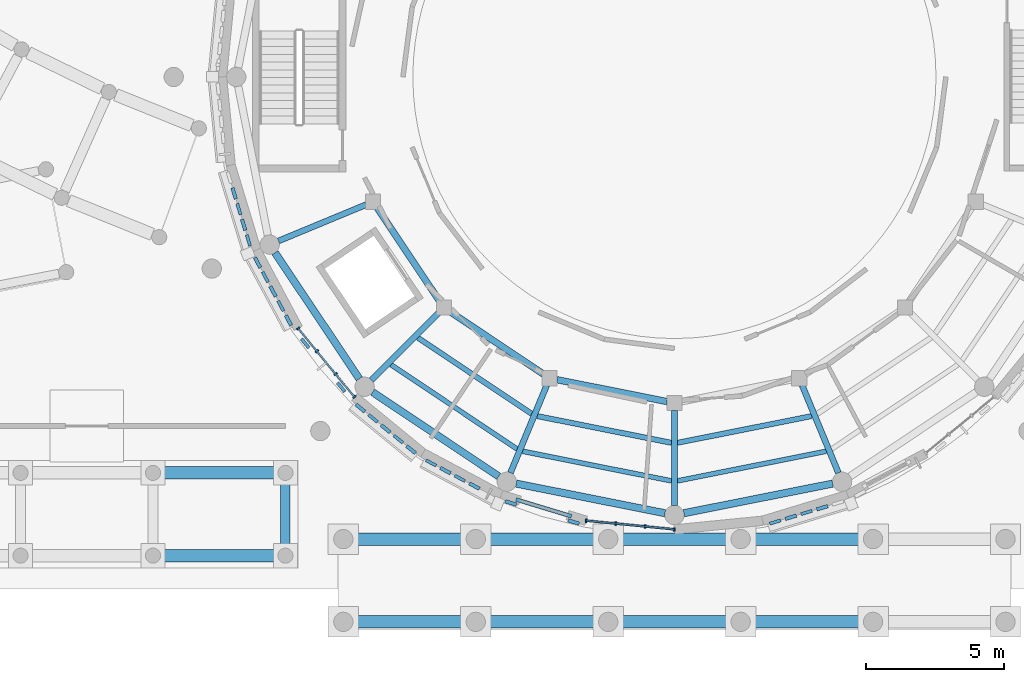
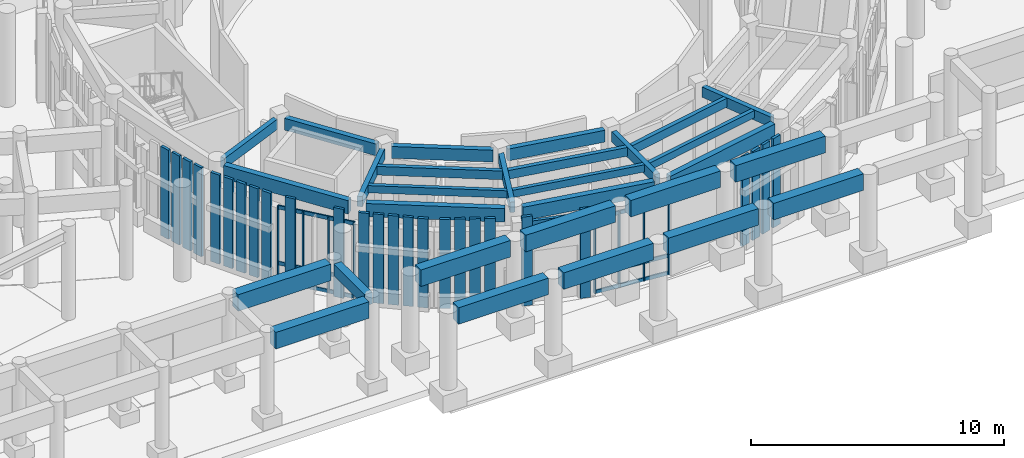
# One storey, part 13 of 94: 40 members, 30 beams, 2 elements without a shape of their own.
"""IFC4 building model written with IfcOpenShell, lengths in metres."""

from ifc_helpers import new_model, si_unit, direction, frame, origin, origin_2d, place, context, subcontext, project, spatial, rectangle, extrude, material, layer, layer_set, material_profile, profile_set, type_object, element, aggregate, save


model = new_model("IFC4")

# Units and contexts
model_context = context("Model", 3, precision=1e-05, world=origin(), true_north=direction((0.0, 1.0)))
body_context = subcontext(model_context, "Body", "Model", "MODEL_VIEW")
ifc_project = project(units=[si_unit("LENGTHUNIT", "METRE"), si_unit("AREAUNIT", "SQUARE_METRE"), si_unit("VOLUMEUNIT", "CUBIC_METRE"), si_unit("PLANEANGLEUNIT", "RADIAN"), si_unit("MASSUNIT", "GRAM", prefix="KILO")], contexts=[model_context])

# Site, building, storey
site_placement = place(None, origin())
site = spatial("IfcSite", under=ifc_project, at=site_placement, CompositionType="ELEMENT")
building_placement = place(site_placement, origin())
building = spatial("IfcBuilding", under=site, at=building_placement, Name="Aldenvaro Health Centre", CompositionType="ELEMENT")
storey_placement = place(building_placement, origin())
storey = spatial("IfcBuildingStorey", under=building, at=storey_placement, Name="L00", CompositionType="ELEMENT", Elevation=0.0)

# Beams
ifc_material_1 = material(Name="Glulam GL28h", Category="wood")
ifc_material_profile_1 = material_profile(ifc_material_1, rectangle(XDim=0.139892578125, YDim=0.280029296875, at=origin_2d()), Name="GL 140x280", Category="wood")
ifc_profile_set_1 = profile_set([ifc_material_profile_1], Name="Glulam GL28h")
beam_type_1 = type_object("IfcBeamType", Name="BM-GL-280", PredefinedType="LINTEL", material=ifc_profile_set_1)
beam_1_placement = place(storey_placement, frame((83.26708984375, 4.076904296875, 3.799072265625), z_axis=(-0.957019516077, 0.290023526371, 0.0), x_axis=(-0.290023526371, -0.957019516077, 0.0)))
element("IfcBeam", 1, at=beam_1_placement, inside=storey, type_object=beam_type_1, Name="Portal Lintel Beam 03", PredefinedType="LINTEL", context=body_context, shape_type="SweptSolid", body=[
    extrude(rectangle(XDim=0.139892578125, YDim=0.280029296875, at=origin_2d()), origin(), (0.0, 0.0, 1.0), 2.100341796875),
])
ifc_material_profile_2 = material_profile(ifc_material_1, rectangle(XDim=0.175048828125, YDim=0.35009765625, at=origin_2d()), Name="GL 175x350", Category="wood")
ifc_profile_set_2 = profile_set([ifc_material_profile_2], Name="Glulam GL28h")
beam_type_2 = type_object("IfcBeamType", Name="BM-GL-350", PredefinedType="JOIST", material=ifc_profile_set_2)
beam_2_placement = place(storey_placement, frame((76.721923828125, 9.572998046875, 4.1298828125), z_axis=(0.831463177052, -0.555579863932, 0.0), x_axis=(0.555579863932, 0.831463177052, 0.0)))
element("IfcBeam", 2, at=beam_2_placement, inside=storey, type_object=beam_type_2, Name="D1 L00 secondary joist 09.2", PredefinedType="JOIST", context=body_context, shape_type="SweptSolid", body=[
    extrude(rectangle(XDim=0.175048828125, YDim=0.35009765625, at=origin_2d()), origin(), (0.0, 0.0, 1.0), 5.506103515625),
])
for number, where, z_axis, x_axis, name in (
    (3, (81.4951171875, 6.43310546875, 4.1298828125), (0.980781408999, -0.195109783868, 0.0), (0.195109783868, 0.980781408999, 0.0), "D1 L00 secondary joist 10.2"),
    (4, (87.10498046875, 5.35888671875, 4.1298828125), (0.980781408999, 0.195109783868, 0.0), (-0.195109783868, 0.980781408999, 0.0), "D1 L00 secondary joist 11.2"),
):
    element("IfcBeam", number, at=place(storey_placement, frame(where, z_axis=z_axis, x_axis=x_axis)), inside=storey, type_object=beam_type_2, Name=name, PredefinedType="JOIST", context=body_context, shape_type="SweptSolid", body=[
        extrude(rectangle(XDim=0.175048828125, YDim=0.35009765625, at=origin_2d()), origin(), (0.0, 0.0, 1.0), 5.505615234375),
    ])
ifc_material_profile_3 = material_profile(ifc_material_1, rectangle(XDim=0.18994140625, YDim=0.41796875, at=origin_2d()), Name="GL 190x418", Category="wood")
ifc_profile_set_3 = profile_set([ifc_material_profile_3], Name="Glulam GL28h")
beam_type_3 = type_object("IfcBeamType", Name="BM-GL-418", PredefinedType="JOIST", material=ifc_profile_set_3)
beam_3_placement = place(storey_placement, frame((77.697998046875, 10.549072265625, 4.095947265625), z_axis=(0.831422153502, -0.555641253567, 0.0), x_axis=(0.555641253567, 0.831422153502, 0.0)))
element("IfcBeam", 5, at=beam_3_placement, inside=storey, type_object=beam_type_3, Name="D1 L00 secondary joist 09.1", PredefinedType="JOIST", context=body_context, shape_type="SweptSolid", body=[
    extrude(rectangle(XDim=0.18994140625, YDim=0.41796875, at=origin_2d()), origin(), (0.0, 0.0, 1.0), 4.96728515625),
])
for number, where, z_axis, x_axis, name in (
    (6, (82.02294921875, 7.708984375, 4.095947265625), (0.980752308599, -0.195256009324, 0.0), (0.195256009324, 0.980752308599, 0.0), "D1 L00 secondary joist 10.1"),
    (7, (87.10498046875, 6.739013671875, 4.095947265625), (0.980752308599, 0.195256009324, 0.0), (-0.195256009324, 0.980752308599, 0.0), "D1 L00 secondary joist 11.1"),
):
    element("IfcBeam", number, at=place(storey_placement, frame(where, z_axis=z_axis, x_axis=x_axis)), inside=storey, type_object=beam_type_3, Name=name, PredefinedType="JOIST", context=body_context, shape_type="SweptSolid", body=[
        extrude(rectangle(XDim=0.18994140625, YDim=0.41796875, at=origin_2d()), origin(), (0.0, 0.0, 1.0), 4.9677734375),
    ])
ifc_material_profile_4 = material_profile(ifc_material_1, rectangle(XDim=0.215087890625, YDim=0.493896484375, at=origin_2d()), Name="GL 215x494", Category="wood")
ifc_profile_set_4 = profile_set([ifc_material_profile_4], Name="Glulam GL28h")
beam_type_4 = type_object("IfcBeamType", Name="BM-GL-494", PredefinedType="BEAM", material=ifc_profile_set_4)
beam_4_placement = place(storey_placement, frame((75.825927734375, 15.3720703125, 4.05810546875), z_axis=(-0.923823653162, -0.382818309199, 0.0), x_axis=(0.382818309199, -0.923823653162, 0.0)))
element("IfcBeam", 8, at=beam_4_placement, inside=storey, type_object=beam_type_4, Name="D1 L00 radial beam 08", PredefinedType="BEAM", context=body_context, shape_type="SweptSolid", body=[
    extrude(rectangle(XDim=0.215087890625, YDim=0.493896484375, at=origin_2d()), origin(), (0.0, 0.0, 1.0), 3.435546875),
])
beam_5_placement = place(storey_placement, frame((78.447998046875, 11.447998046875, 4.05810546875), z_axis=(-0.707106781187, -0.707106781187, 0.0), x_axis=(0.707106781187, -0.707106781187, 0.0)))
element("IfcBeam", 9, at=beam_5_placement, inside=storey, type_object=beam_type_4, Name="D1 L00 radial beam 09", PredefinedType="BEAM", context=body_context, shape_type="SweptSolid", body=[
    extrude(rectangle(XDim=0.215087890625, YDim=0.493896484375, at=origin_2d()), origin(), (0.0, 0.0, 1.0), 3.4365234375),
])
beam_6_placement = place(storey_placement, frame((82.3720703125, 8.825927734375, 4.05810546875), z_axis=(-0.382818309199, -0.923823653162, 0.0), x_axis=(0.923823653162, -0.382818309199, 0.0)))
element("IfcBeam", 10, at=beam_6_placement, inside=storey, type_object=beam_type_4, Name="D1 L00 radial beam 10", PredefinedType="BEAM", context=body_context, shape_type="SweptSolid", body=[
    extrude(rectangle(XDim=0.215087890625, YDim=0.493896484375, at=origin_2d()), origin(), (0.0, 0.0, 1.0), 3.435546875),
])
beam_7_placement = place(storey_placement, frame((87.0, 7.905029296875, 4.05810546875), z_axis=(0.0, -1.0, 0.0), x_axis=(1.0, 0.0, 0.0)))
element("IfcBeam", 11, at=beam_7_placement, inside=storey, type_object=beam_type_4, Name="D1 L00 radial beam 11", PredefinedType="BEAM", context=body_context, shape_type="SweptSolid", body=[
    extrude(rectangle(XDim=0.215087890625, YDim=0.493896484375, at=origin_2d()), origin(), (0.0, 0.0, 1.0), 3.43505859375),
])
beam_8_placement = place(storey_placement, frame((91.6279296875, 8.825927734375, 4.05810546875), z_axis=(0.382818309199, -0.923823653162, 0.0), x_axis=(0.923823653162, 0.382818309199, 0.0)))
element("IfcBeam", 12, at=beam_8_placement, inside=storey, type_object=beam_type_4, Name="D1 L00 radial beam 12", PredefinedType="BEAM", context=body_context, shape_type="SweptSolid", body=[
    extrude(rectangle(XDim=0.215087890625, YDim=0.493896484375, at=origin_2d()), origin(), (0.0, 0.0, 1.0), 3.435546875),
])
ifc_material_profile_5 = material_profile(ifc_material_1, rectangle(XDim=0.239990234375, YDim=0.570068359375, at=origin_2d()), Name="GL 240x570", Category="wood")
ifc_profile_set_5 = profile_set([ifc_material_profile_5], Name="Glulam GL28h")
beam_type_5 = type_object("IfcBeamType", Name="BM-GL-570", PredefinedType="BEAM", material=ifc_profile_set_5)
for number, where, z_axis, x_axis, name in (
    (13, (76.23291015625, 15.248046875, 4.02001953125), (0.55551841035, -0.831504236767, 0.0), (0.831504236767, 0.55551841035, 0.0), "D1 L00 inner ring beam 08"),
    (14, (78.87109375, 11.489013671875, 4.02001953125), (0.831504236767, -0.55551841035, 0.0), (0.55551841035, 0.831504236767, 0.0), "D1 L00 inner ring beam 09"),
):
    element("IfcBeam", number, at=place(storey_placement, frame(where, z_axis=z_axis, x_axis=x_axis)), inside=storey, type_object=beam_type_5, Name=name, PredefinedType="BEAM", context=body_context, shape_type="SweptSolid", body=[
        extrude(rectangle(XDim=0.239990234375, YDim=0.570068359375, at=origin_2d()), origin(), (0.0, 0.0, 1.0), 4.061279296875),
    ])
beam_9_placement = place(storey_placement, frame((82.7470703125, 9.02587890625, 4.02001953125), z_axis=(0.980797430313, -0.19502923035, 0.0), x_axis=(0.19502923035, 0.980797430313, 0.0)))
element("IfcBeam", 15, at=beam_9_placement, inside=storey, type_object=beam_type_5, Name="D1 L00 inner ring beam 10", PredefinedType="BEAM", context=body_context, shape_type="SweptSolid", body=[
    extrude(rectangle(XDim=0.239990234375, YDim=0.570068359375, at=origin_2d()), origin(), (0.0, 0.0, 1.0), 4.060791015625),
])
ifc_material_profile_6 = material_profile(ifc_material_1, rectangle(XDim=0.264892578125, YDim=0.64599609375, at=origin_2d()), Name="GL 265x646", Category="wood")
ifc_profile_set_6 = profile_set([ifc_material_profile_6], Name="Glulam GL28h")
beam_type_6 = type_object("IfcBeamType", Name="BM-GL-646", PredefinedType="SPANDREL", material=ifc_profile_set_6)
for number, where, z_axis, x_axis, name in (
    (16, (72.52294921875, 13.632080078125, 3.98193359375), (0.555612119454, -0.831441623156, 0.0), (0.831441623156, 0.555612119454, 0.0), "D1 L00 perimeter spandrel 10"),
    (17, (76.06201171875, 8.576904296875, 3.98193359375), (0.831441623156, -0.555612119454, 0.0), (0.555612119454, 0.831441623156, 0.0), "D1 L00 perimeter spandrel 11"),
    (18, (81.26611328125, 5.260986328125, 3.98193359375), (0.980761340452, -0.19521063771, 0.0), (0.19521063771, 0.980761340452, 0.0), "D1 L00 perimeter spandrel 12"),
    (19, (87.343017578125, 4.18798828125, 3.98193359375), (0.980761340452, 0.19521063771, 0.0), (-0.19521063771, 0.980761340452, 0.0), "D1 L00 perimeter spandrel 13"),
):
    element("IfcBeam", number, at=place(storey_placement, frame(where, z_axis=z_axis, x_axis=x_axis)), inside=storey, type_object=beam_type_6, Name=name, PredefinedType="SPANDREL", context=body_context, shape_type="SweptSolid", body=[
        extrude(rectangle(XDim=0.264892578125, YDim=0.64599609375, at=origin_2d()), origin(), (0.0, 0.0, 1.0), 5.49658203125),
    ])
ifc_material_2 = material(Name="Concrete f'c 40 MPa", Category="concrete")
ifc_material_profile_7 = material_profile(ifc_material_2, rectangle(XDim=0.35009765625, YDim=0.56005859375, at=origin_2d()), Name="RC 350x560", Category="concrete")
ifc_profile_set_7 = profile_set([ifc_material_profile_7], Name="Concrete f'c 40 MPa")
beam_type_7 = type_object("IfcBeamType", Name="BM-RC-560E", PredefinedType="JOIST", material=ifc_profile_set_7)
beam_10_placement = place(storey_placement, frame((72.89990234375, 2.925048828125, 4.1201171875), z_axis=(0.0, 1.0, 0.0), x_axis=(-1.0, 0.0, 0.0)))
element("IfcBeam", 20, at=beam_10_placement, inside=storey, type_object=beam_type_7, Name="South Stoa W Transverse Beam L00-9", PredefinedType="JOIST", context=body_context, shape_type="SweptSolid", body=[
    extrude(rectangle(XDim=0.35009765625, YDim=0.56005859375, at=origin_2d()), origin(), (0.0, 0.0, 1.0), 2.449951171875),
])
ifc_material_profile_8 = material_profile(ifc_material_2, rectangle(XDim=0.449951171875, YDim=0.800048828125, at=origin_2d()), Name="RC 450x800", Category="concrete")
ifc_profile_set_8 = profile_set([ifc_material_profile_8], Name="Concrete f'c 40 MPa")
beam_type_8 = type_object("IfcBeamType", Name="BM-RC-800", PredefinedType="SPANDREL", material=ifc_profile_set_8)
for number, where, z_axis, x_axis, name in (
    (21, (75.35009765625, 0.25, 4.2099609375), (1.0, 0.0, 0.0), (0.0, 1.0, 0.0), "Neoclassical Portico Lower Architrave 1.1"),
    (22, (75.35009765625, 3.25, 4.2099609375), (1.0, 0.0, 0.0), (0.0, 1.0, 0.0), "Neoclassical Portico Lower Architrave 1.2"),
):
    element("IfcBeam", number, at=place(storey_placement, frame(where, z_axis=z_axis, x_axis=x_axis)), inside=storey, type_object=beam_type_8, Name=name, PredefinedType="SPANDREL", context=body_context, shape_type="SweptSolid", body=[
        extrude(rectangle(XDim=0.449951171875, YDim=0.800048828125, at=origin_2d()), origin(), (0.0, 0.0, 1.0), 4.099853515625),
    ])
for number, where, z_axis, x_axis, name in (
    (23, (80.14990234375, 0.25, 4.2099609375), (1.0, 0.0, 0.0), (0.0, 1.0, 0.0), "Neoclassical Portico Lower Architrave 2.1"),
    (24, (80.14990234375, 3.25, 4.2099609375), (1.0, 0.0, 0.0), (0.0, 1.0, 0.0), "Neoclassical Portico Lower Architrave 2.2"),
    (25, (84.949951171875, 0.25, 4.2099609375), (1.0, 0.0, 0.0), (0.0, 1.0, 0.0), "Neoclassical Portico Lower Architrave 3.1"),
    (26, (84.949951171875, 3.25, 4.2099609375), (1.0, 0.0, 0.0), (0.0, 1.0, 0.0), "Neoclassical Portico Lower Architrave 3.2"),
    (27, (89.75, 0.25, 4.2099609375), (1.0, 0.0, 0.0), (0.0, 1.0, 0.0), "Neoclassical Portico Lower Architrave 4.1"),
    (28, (89.75, 3.25, 4.2099609375), (1.0, 0.0, 0.0), (0.0, 1.0, 0.0), "Neoclassical Portico Lower Architrave 4.2"),
):
    element("IfcBeam", number, at=place(storey_placement, frame(where, z_axis=z_axis, x_axis=x_axis)), inside=storey, type_object=beam_type_8, Name=name, PredefinedType="SPANDREL", context=body_context, shape_type="SweptSolid", body=[
        extrude(rectangle(XDim=0.449951171875, YDim=0.800048828125, at=origin_2d()), origin(), (0.0, 0.0, 1.0), 4.10009765625),
    ])
for number, where, z_axis, x_axis, name in (
    (29, (68.375, 2.64990234375, 4.0), (1.0, 0.0, 0.0), (0.0, 1.0, 0.0), "South Stoa W Classical Architrave L00-8.1"),
    (30, (68.375, 5.64990234375, 4.0), (1.0, 0.0, 0.0), (0.0, 1.0, 0.0), "South Stoa W Classical Architrave L00-8.2"),
):
    element("IfcBeam", number, at=place(storey_placement, frame(where, z_axis=z_axis, x_axis=x_axis)), inside=storey, type_object=beam_type_8, Name=name, PredefinedType="SPANDREL", context=body_context, shape_type="SweptSolid", body=[
        extrude(rectangle(XDim=0.449951171875, YDim=0.800048828125, at=origin_2d()), origin(), (0.0, 0.0, 1.0), 4.25),
    ])

# Curtain wall, members
ifc_material_3 = material(Name="Anodised Aluminium 6063-T6", Category="aluminium")
ifc_layer = layer(ifc_material_3, 0.179931640625, Name="Anodised Aluminium 6063-T6", Category="aluminium")
ifc_layer_set = layer_set([ifc_layer], Name="Anodised Aluminium 6063-T6")
curtain_wall_type = type_object("IfcCurtainWallType", Name="CW-ROT-01", PredefinedType="NOTDEFINED", material=ifc_layer_set)
curtain_wall_1_placement = place(storey_placement, origin())
curtain_wall_1 = element("IfcCurtainWall", 31, at=curtain_wall_1_placement, inside=storey, type_object=curtain_wall_type, Name="D1 L00 curtain wall bay 09", PredefinedType="NOTDEFINED")
ifc_material_profile_9 = material_profile(ifc_material_3, rectangle(XDim=0.06005859375, YDim=0.135009765625, at=origin_2d()), Name="ALU 60x135", Category="aluminium")
ifc_profile_set_9 = profile_set([ifc_material_profile_9], Name="Anodised Aluminium 6063-T6")
member_type_1 = type_object("IfcMemberType", Name="CWM-150", PredefinedType="MULLION", material=ifc_profile_set_9)
member_1_placement = place(storey_placement, frame((87.0, 3.60009765625, 0.0), z_axis=(0.0, 0.0, 1.0), x_axis=(-0.995186971968, 0.097994340783, 0.0)))
member_1 = element("IfcMember", 32, at=member_1_placement, type_object=member_type_1, Name="D1 L00 curtain wall bay 09 mullion 1", PredefinedType="MULLION", context=body_context, shape_type="SweptSolid", body=[
    extrude(rectangle(XDim=0.06005859375, YDim=0.135009765625, at=origin_2d()), origin(), (0.0, 0.0, 1.0), 3.658935546875),
])
member_2_placement = place(storey_placement, frame((85.93408203125, 3.705078125, 0.0), z_axis=(0.0, 0.0, 1.0), x_axis=(-0.995186971968, 0.097994340783, 0.0)))
member_2 = element("IfcMember", 33, at=member_2_placement, type_object=member_type_1, Name="D1 L00 curtain wall bay 09 mullion 2", PredefinedType="MULLION", context=body_context, shape_type="SweptSolid", body=[
    extrude(rectangle(XDim=0.06005859375, YDim=0.135009765625, at=origin_2d()), origin(), (0.0, 0.0, 1.0), 3.658935546875),
])
member_3_placement = place(storey_placement, frame((84.866943359375, 3.81005859375, 0.0), z_axis=(0.0, 0.0, 1.0), x_axis=(-0.995186971968, 0.097994340783, 0.0)))
member_3 = element("IfcMember", 34, at=member_3_placement, type_object=member_type_1, Name="D1 L00 curtain wall bay 09 mullion 3", PredefinedType="MULLION", context=body_context, shape_type="SweptSolid", body=[
    extrude(rectangle(XDim=0.06005859375, YDim=0.135009765625, at=origin_2d()), origin(), (0.0, 0.0, 1.0), 3.658935546875),
])
member_4_placement = place(storey_placement, frame((83.801025390625, 3.9150390625, 0.0), z_axis=(0.0, 0.0, 1.0), x_axis=(-0.995186971968, 0.097994340783, 0.0)))
member_4 = element("IfcMember", 35, at=member_4_placement, type_object=member_type_1, Name="D1 L00 curtain wall bay 09 mullion 4", PredefinedType="MULLION", context=body_context, shape_type="SweptSolid", body=[
    extrude(rectangle(XDim=0.06005859375, YDim=0.135009765625, at=origin_2d()), origin(), (0.0, 0.0, 1.0), 3.658935546875),
])

curtain_wall_2_placement = place(storey_placement, origin())
curtain_wall_2 = element("IfcCurtainWall", 36, at=curtain_wall_2_placement, inside=storey, type_object=curtain_wall_type, Name="D1 L00 curtain wall bay 13", PredefinedType="NOTDEFINED")
member_5_placement = place(storey_placement, frame((75.403076171875, 8.403076171875, 0.0), z_axis=(0.0, 0.0, 1.0), x_axis=(-0.634168850528, 0.773194586776, 0.0)))
member_5 = element("IfcMember", 37, at=member_5_placement, type_object=member_type_1, Name="D1 L00 curtain wall bay 13 mullion 1", PredefinedType="MULLION", context=body_context, shape_type="SweptSolid", body=[
    extrude(rectangle(XDim=0.06005859375, YDim=0.135009765625, at=origin_2d()), origin(), (0.0, 0.0, 1.0), 3.658935546875),
])
member_6_placement = place(storey_placement, frame((74.722900390625, 9.23193359375, 0.0), z_axis=(0.0, 0.0, 1.0), x_axis=(-0.634168850528, 0.773194586776, 0.0)))
member_6 = element("IfcMember", 38, at=member_6_placement, type_object=member_type_1, Name="D1 L00 curtain wall bay 13 mullion 2", PredefinedType="MULLION", context=body_context, shape_type="SweptSolid", body=[
    extrude(rectangle(XDim=0.06005859375, YDim=0.135009765625, at=origin_2d()), origin(), (0.0, 0.0, 1.0), 3.658935546875),
])
member_7_placement = place(storey_placement, frame((74.0439453125, 10.06005859375, 0.0), z_axis=(0.0, 0.0, 1.0), x_axis=(-0.634168850528, 0.773194586776, 0.0)))
member_7 = element("IfcMember", 39, at=member_7_placement, type_object=member_type_1, Name="D1 L00 curtain wall bay 13 mullion 3", PredefinedType="MULLION", context=body_context, shape_type="SweptSolid", body=[
    extrude(rectangle(XDim=0.06005859375, YDim=0.135009765625, at=origin_2d()), origin(), (0.0, 0.0, 1.0), 3.658935546875),
])
member_8_placement = place(storey_placement, frame((73.364013671875, 10.888916015625, 0.0), z_axis=(0.0, 0.0, 1.0), x_axis=(-0.634168850528, 0.773194586776, 0.0)))
member_8 = element("IfcMember", 40, at=member_8_placement, type_object=member_type_1, Name="D1 L00 curtain wall bay 13 mullion 4", PredefinedType="MULLION", context=body_context, shape_type="SweptSolid", body=[
    extrude(rectangle(XDim=0.06005859375, YDim=0.135009765625, at=origin_2d()), origin(), (0.0, 0.0, 1.0), 3.658935546875),
])

# Member
ifc_material_profile_10 = material_profile(ifc_material_3, rectangle(XDim=0.06494140625, YDim=0.179931640625, at=origin_2d()), Name="ALU 65x180", Category="aluminium")
ifc_profile_set_10 = profile_set([ifc_material_profile_10], Name="Anodised Aluminium 6063-T6")
member_type_2 = type_object("IfcMemberType", Name="CWT-150", PredefinedType="USERDEFINED", material=ifc_profile_set_10)
member_9_placement = place(storey_placement, frame((87.0, 3.60009765625, 0.06005859375), z_axis=(-0.995188673637, 0.097977057849, 0.0), x_axis=(-0.097977057849, -0.995188673637, 0.0)))
member_9 = element("IfcMember", 41, at=member_9_placement, type_object=member_type_2, Name="D1 L00 curtain wall bay 09 transom 1", ObjectType="TRANSOM", PredefinedType="USERDEFINED", context=body_context, shape_type="SweptSolid", body=[
    extrude(rectangle(XDim=0.06494140625, YDim=0.179931640625, at=origin_2d()), origin(), (0.0, 0.0, 1.0), 3.21435546875),
])

member_10_placement = place(storey_placement, frame((87.0, 3.60009765625, 0.89990234375), z_axis=(-0.995188673637, 0.097977057849, 0.0), x_axis=(-0.097977057849, -0.995188673637, 0.0)))
member_10 = element("IfcMember", 42, at=member_10_placement, type_object=member_type_2, Name="D1 L00 curtain wall bay 09 transom 2", ObjectType="TRANSOM", PredefinedType="USERDEFINED", context=body_context, shape_type="SweptSolid", body=[
    extrude(rectangle(XDim=0.06494140625, YDim=0.179931640625, at=origin_2d()), origin(), (0.0, 0.0, 1.0), 3.21435546875),
])

member_11_placement = place(storey_placement, frame((87.0, 3.60009765625, 3.59912109375), z_axis=(-0.995188673637, 0.097977057849, 0.0), x_axis=(-0.097977057849, -0.995188673637, 0.0)))
member_11 = element("IfcMember", 43, at=member_11_placement, type_object=member_type_2, Name="D1 L00 curtain wall bay 09 transom 3", ObjectType="TRANSOM", PredefinedType="USERDEFINED", context=body_context, shape_type="SweptSolid", body=[
    extrude(rectangle(XDim=0.06494140625, YDim=0.179931640625, at=origin_2d()), origin(), (0.0, 0.0, 1.0), 3.21435546875),
])

aggregate(curtain_wall_1, [member_1, member_2, member_3, member_4, member_9, member_10, member_11])

member_12_placement = place(storey_placement, frame((75.403076171875, 8.403076171875, 0.06005859375), z_axis=(-0.634204896314, 0.773165020866, 0.0), x_axis=(-0.773165020866, -0.634204896314, 0.0)))
member_12 = element("IfcMember", 44, at=member_12_placement, type_object=member_type_2, Name="D1 L00 curtain wall bay 13 transom 1", ObjectType="TRANSOM", PredefinedType="USERDEFINED", context=body_context, shape_type="SweptSolid", body=[
    extrude(rectangle(XDim=0.06494140625, YDim=0.179931640625, at=origin_2d()), origin(), (0.0, 0.0, 1.0), 3.215087890625),
])

member_13_placement = place(storey_placement, frame((75.403076171875, 8.403076171875, 0.89990234375), z_axis=(-0.634204896314, 0.773165020866, 0.0), x_axis=(-0.773165020866, -0.634204896314, 0.0)))
member_13 = element("IfcMember", 45, at=member_13_placement, type_object=member_type_2, Name="D1 L00 curtain wall bay 13 transom 2", ObjectType="TRANSOM", PredefinedType="USERDEFINED", context=body_context, shape_type="SweptSolid", body=[
    extrude(rectangle(XDim=0.06494140625, YDim=0.179931640625, at=origin_2d()), origin(), (0.0, 0.0, 1.0), 3.215087890625),
])

member_14_placement = place(storey_placement, frame((75.403076171875, 8.403076171875, 3.59912109375), z_axis=(-0.634204896314, 0.773165020866, 0.0), x_axis=(-0.773165020866, -0.634204896314, 0.0)))
member_14 = element("IfcMember", 46, at=member_14_placement, type_object=member_type_2, Name="D1 L00 curtain wall bay 13 transom 3", ObjectType="TRANSOM", PredefinedType="USERDEFINED", context=body_context, shape_type="SweptSolid", body=[
    extrude(rectangle(XDim=0.06494140625, YDim=0.179931640625, at=origin_2d()), origin(), (0.0, 0.0, 1.0), 3.215087890625),
])

aggregate(curtain_wall_2, [member_5, member_6, member_7, member_8, member_12, member_13, member_14])

# Members
ifc_material_profile_11 = material_profile(ifc_material_1, rectangle(XDim=0.114990234375, YDim=0.419921875, at=origin_2d()), Name="GL 115x420", Category="wood")
ifc_profile_set_11 = profile_set([ifc_material_profile_11], Name="Glulam GL28h")
member_type_3 = type_object("IfcMemberType", Name="MEM-SLT-420A", PredefinedType="POST", material=ifc_profile_set_11)
for number, where, z_axis, x_axis, name in (
    (47, (91.7880859375, 4.214111328125, 0.0), (0.0, 0.0, 1.0), (0.290171396605, -0.95697469172, 0.0), "D1 L00 vertical timber slat 7.3"),
    (48, (90.652099609375, 3.868896484375, 0.0), (0.0, 0.0, 1.0), (0.290171396605, -0.95697469172, 0.0), "D1 L00 vertical timber slat 7.5"),
    (49, (79.22412109375, 5.451904296875, 0.0), (0.0, 0.0, 1.0), (-0.471556629455, -0.88183578132, 0.0), "D1 L00 vertical timber slat 11.3"),
    (50, (78.177001953125, 6.011962890625, 0.0), (0.0, 0.0, 1.0), (-0.471556629455, -0.88183578132, 0.0), "D1 L00 vertical timber slat 11.5"),
    (51, (76.993896484375, 6.8720703125, 0.0), (0.0, 0.0, 1.0), (-0.634168850528, -0.773194586776, 0.0), "D1 L00 vertical timber slat 12.2"),
    (52, (76.075927734375, 7.625, 0.0), (0.0, 0.0, 1.0), (-0.634168850528, -0.773194586776, 0.0), "D1 L00 vertical timber slat 12.4"),
    (53, (74.919921875, 8.7548828125, 0.0), (0.0, 0.0, 1.0), (-0.773194586776, -0.634168850528, 0.0), "D1 L00 curtain mullion timber slat 13"),
    (54, (73.614990234375, 10.345947265625, 0.0), (0.0, 0.0, 1.0), (-0.773194586776, -0.634168850528, 0.0), "D1 L00 curtain mullion timber slat 13"),
    (55, (72.73193359375, 11.699951171875, 0.0), (0.0, 0.0, 1.0), (-0.88183578132, -0.471556629455, 0.0), "D1 L00 vertical timber slat 14.2"),
    (56, (72.172119140625, 12.748046875, 0.0), (0.0, 0.0, 1.0), (-0.88183578132, -0.471556629455, 0.0), "D1 L00 vertical timber slat 14.4"),
    (57, (71.55908203125, 14.074951171875, 0.0), (0.0, 0.0, 1.0), (-0.95697469172, -0.290171396605, 0.0), "D1 L00 vertical timber slat 15.1"),
    (58, (71.214111328125, 15.2119140625, 0.0), (0.0, 0.0, 1.0), (-0.95697469172, -0.290171396605, 0.0), "D1 L00 vertical timber slat 15.3"),
):
    element("IfcMember", number, at=place(storey_placement, frame(where, z_axis=z_axis, x_axis=x_axis)), inside=storey, type_object=member_type_3, Name=name, PredefinedType="POST", context=body_context, shape_type="SweptSolid", body=[
        extrude(rectangle(XDim=0.114990234375, YDim=0.419921875, at=origin_2d()), origin(), (0.0, 0.0, 1.0), 4.304931640625),
    ])
ifc_material_profile_12 = material_profile(ifc_material_1, rectangle(XDim=0.1298828125, YDim=0.419921875, at=origin_2d()), Name="GL 130x420", Category="wood")
ifc_profile_set_12 = profile_set([ifc_material_profile_12], Name="Glulam GL28h")
member_type_4 = type_object("IfcMemberType", Name="MEM-SLT-420B", PredefinedType="POST", material=ifc_profile_set_12)
for number, where, z_axis, x_axis, name in (
    (59, (92.35693359375, 4.385986328125, 0.0), (0.0, 0.0, 1.0), (0.290171396605, -0.95697469172, 0.0), "D1 L00 vertical timber slat 7.2"),
    (60, (91.219970703125, 4.0419921875, 0.0), (0.0, 0.0, 1.0), (0.290171396605, -0.95697469172, 0.0), "D1 L00 vertical timber slat 7.4"),
    (61, (83.347900390625, 3.868896484375, 0.0), (0.0, 0.0, 1.0), (-0.290171396605, -0.95697469172, 0.0), "D1 L00 vertical timber slat 10.1"),
    (62, (81.074951171875, 4.55908203125, 0.0), (0.0, 0.0, 1.0), (-0.290171396605, -0.95697469172, 0.0), "D1 L00 vertical timber slat 10.5"),
    (63, (79.748046875, 5.172119140625, 0.0), (0.0, 0.0, 1.0), (-0.471556629455, -0.88183578132, 0.0), "D1 L00 vertical timber slat 11.2"),
    (64, (78.699951171875, 5.73193359375, 0.0), (0.0, 0.0, 1.0), (-0.471556629455, -0.88183578132, 0.0), "D1 L00 vertical timber slat 11.4"),
    (65, (77.452880859375, 6.4951171875, 0.0), (0.0, 0.0, 1.0), (-0.634168850528, -0.773194586776, 0.0), "D1 L00 vertical timber slat 12.1"),
    (66, (76.534912109375, 7.248046875, 0.0), (0.0, 0.0, 1.0), (-0.634168850528, -0.773194586776, 0.0), "D1 L00 vertical timber slat 12.3"),
    (67, (75.616943359375, 8.0009765625, 0.0), (0.0, 0.0, 1.0), (-0.634168850528, -0.773194586776, 0.0), "D1 L00 vertical timber slat 12.5"),
    (68, (73.011962890625, 11.177001953125, 0.0), (0.0, 0.0, 1.0), (-0.88183578132, -0.471556629455, 0.0), "D1 L00 vertical timber slat 14.1"),
    (69, (72.451904296875, 12.22412109375, 0.0), (0.0, 0.0, 1.0), (-0.88183578132, -0.471556629455, 0.0), "D1 L00 vertical timber slat 14.3"),
    (70, (71.89208984375, 13.27099609375, 0.0), (0.0, 0.0, 1.0), (-0.88183578132, -0.471556629455, 0.0), "D1 L00 vertical timber slat 14.5"),
    (71, (71.385986328125, 14.64306640625, 0.0), (0.0, 0.0, 1.0), (-0.95697469172, -0.290171396605, 0.0), "D1 L00 vertical timber slat 15.2"),
    (72, (71.0419921875, 15.780029296875, 0.0), (0.0, 0.0, 1.0), (-0.95697469172, -0.290171396605, 0.0), "D1 L00 vertical timber slat 15.4"),
):
    element("IfcMember", number, at=place(storey_placement, frame(where, z_axis=z_axis, x_axis=x_axis)), inside=storey, type_object=member_type_4, Name=name, PredefinedType="POST", context=body_context, shape_type="SweptSolid", body=[
        extrude(rectangle(XDim=0.1298828125, YDim=0.419921875, at=origin_2d()), origin(), (0.0, 0.0, 1.0), 4.304931640625),
    ])

save(model, "model.ifc")
